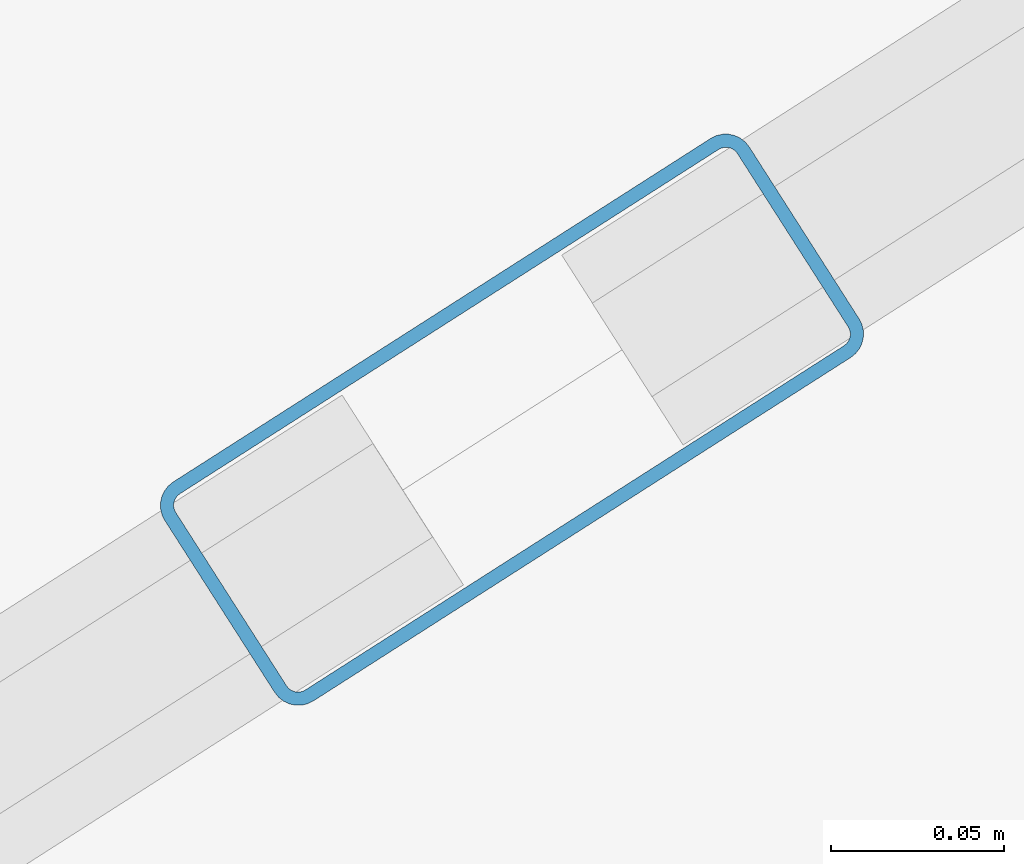
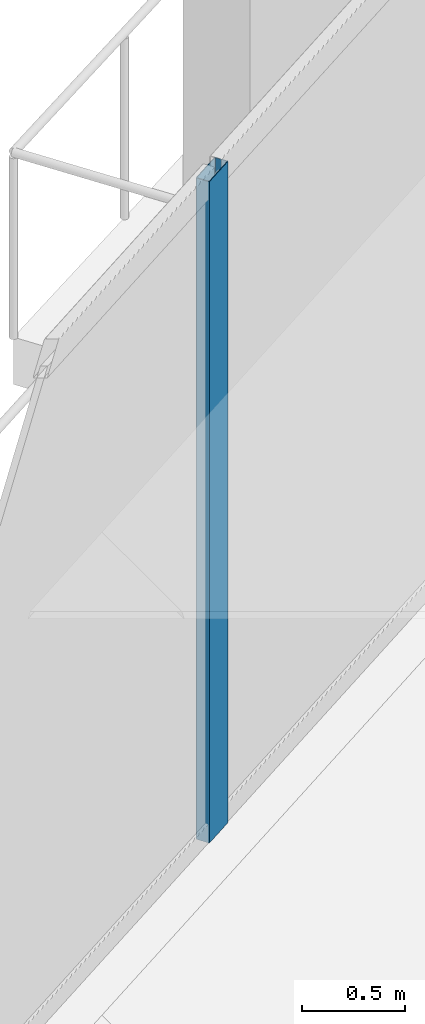
# One storey, part 14 of 47: 1 member, 1 element without a shape of its own.
"""IFC4 building model written with IfcOpenShell, lengths in metres."""

from ifc_helpers import new_model, si_unit, direction, frame, origin, origin_2d, place, context, subcontext, project, spatial, hollow_rectangle, extrude, material, layer, layer_set, material_profile, profile_set, type_object, element, aggregate, save


model = new_model("IFC4")

# Units and contexts
model_context = context("Model", 3, precision=1e-05, world=origin(), true_north=direction((0.0, 1.0)))
body_context = subcontext(model_context, "Body", "Model", "MODEL_VIEW")
ifc_project = project(units=[si_unit("LENGTHUNIT", "METRE"), si_unit("AREAUNIT", "SQUARE_METRE"), si_unit("VOLUMEUNIT", "CUBIC_METRE"), si_unit("PLANEANGLEUNIT", "RADIAN"), si_unit("MASSUNIT", "GRAM", prefix="KILO")], contexts=[model_context])

# Site, building, storey
site_placement = place(None, origin())
site = spatial("IfcSite", under=ifc_project, at=site_placement, CompositionType="ELEMENT")
building_placement = place(site_placement, origin())
building = spatial("IfcBuilding", under=site, at=building_placement, Name="Qorvath Tower", CompositionType="ELEMENT")
storey_placement = place(building_placement, frame((0.0, 0.0, 74.39990234375)))
storey = spatial("IfcBuildingStorey", under=building, at=storey_placement, Name="L16", CompositionType="ELEMENT", Elevation=74.39990234375)

# Curtain wall, member
ifc_material_1 = material(Name="Anodised aluminium and triple low-E glass", Category="aluminium")
ifc_layer = layer(ifc_material_1, 0.179931640625)
ifc_layer_set = layer_set([ifc_layer], Name="CW-SYS-5")
curtain_wall_type = type_object("IfcCurtainWallType", Name="CW-SYS-5", PredefinedType="NOTDEFINED", material=ifc_layer_set)
curtain_wall_placement = place(storey_placement, origin())
curtain_wall = element("IfcCurtainWall", 1, at=curtain_wall_placement, inside=storey, type_object=curtain_wall_type, Name="Curtain Wall CW-5 CW-T-L16-4.1", PredefinedType="NOTDEFINED")
ifc_material_2 = material(Name="Anodised aluminium 6063-T6", Category="aluminium")
ifc_material_profile = material_profile(ifc_material_2, hollow_rectangle(XDim=0.074951171875, YDim=0.199951171875, WallThickness=0.00390625, InnerFilletRadius=0.00390625, OuterFilletRadius=0.008056640625, at=origin_2d()), Name="CWM 200x75")
ifc_profile_set = profile_set([ifc_material_profile], Name="Anodised aluminium 6063-T6")
member_type = type_object("IfcMemberType", Name="CWM-200", PredefinedType="MULLION", material=ifc_profile_set)
member_placement = place(storey_placement, frame((-41.566650390625, 15.42578125, 0.0), z_axis=(0.0, 0.0, 1.0), x_axis=(0.538533373675, -0.842604180763, 0.0)))
member = element("IfcMember", 2, at=member_placement, type_object=member_type, Name="CW-5 mullion 6", PredefinedType="MULLION", context=body_context, shape_type="SweptSolid", body=[
    extrude(hollow_rectangle(XDim=0.074951171875, YDim=0.199951171875, WallThickness=0.00390625, InnerFilletRadius=0.00390625, OuterFilletRadius=0.008056640625, at=origin_2d()), origin(), (0.0, 0.0, 1.0), 3.920166015625),
])
aggregate(curtain_wall, [member])

save(model, "model.ifc")
